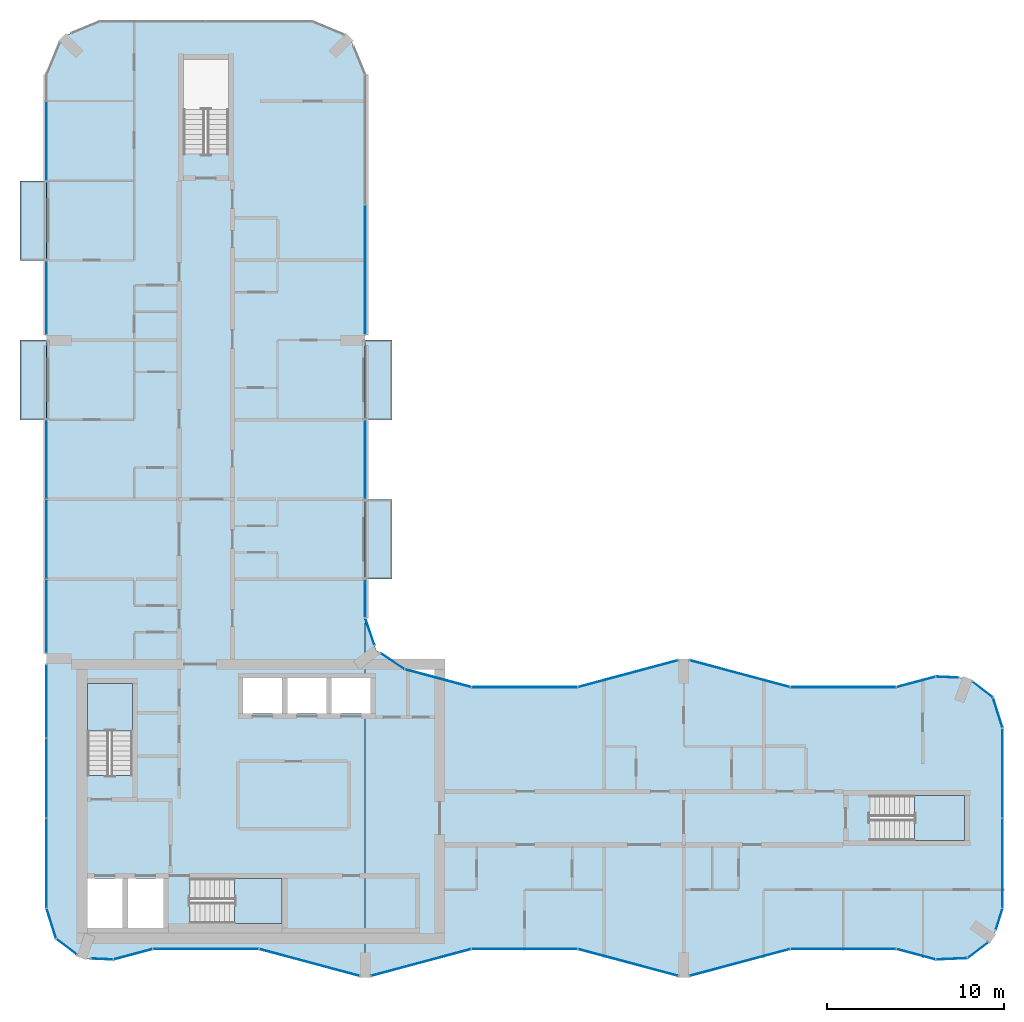
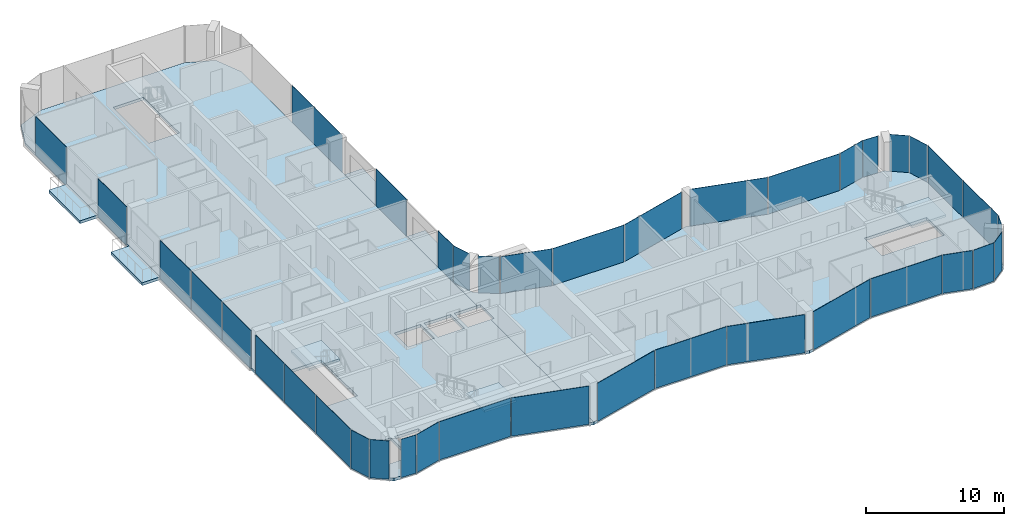
# One storey, part 8 of 15: 39 plates, 9 slabs, 37 elements without a shape of their own.
"""IFC4 building model written with IfcOpenShell, lengths in metres."""

from ifc_helpers import new_model, si_unit, direction, frame, origin, origin_2d, place, context, subcontext, project, spatial, polyline, rectangle, outline, extrude, material, layer, layer_set, type_object, element, aggregate, save


model = new_model("IFC4")

# Units and contexts
model_context = context("Model", 3, precision=1e-05, world=origin(), true_north=direction((0.0, 1.0)))
body_context = subcontext(model_context, "Body", "Model", "MODEL_VIEW")
ifc_project = project(units=[si_unit("LENGTHUNIT", "METRE"), si_unit("AREAUNIT", "SQUARE_METRE"), si_unit("VOLUMEUNIT", "CUBIC_METRE"), si_unit("PLANEANGLEUNIT", "RADIAN"), si_unit("MASSUNIT", "GRAM", prefix="KILO")], contexts=[model_context])

# Site, building, storey
site_placement = place(None, origin())
site = spatial("IfcSite", under=ifc_project, at=site_placement, CompositionType="ELEMENT")
building_placement = place(site_placement, origin())
building = spatial("IfcBuilding", under=site, at=building_placement, Name="Plateau Cross Towers", CompositionType="ELEMENT")
storey_placement = place(building_placement, frame((0.0, 0.0, 149.89990234375)))
storey = spatial("IfcBuildingStorey", under=building, at=storey_placement, Name="L38", CompositionType="ELEMENT", Elevation=149.89990234375)

# Slabs
ifc_material_1 = material(Name="Concrete C40/50", Category="concrete")
ifc_layer_1 = layer(ifc_material_1, 0.25)
ifc_layer_set_1 = layer_set([ifc_layer_1], Name="Concrete C40/50")
slab_type_1 = type_object("IfcSlabType", Name="Balcony slab 250", PredefinedType="FLOOR", material=ifc_layer_set_1)
slab_1_placement = place(storey_placement, frame((0.0, 0.0, -0.25)))
element("IfcSlab", 1, at=slab_1_placement, inside=storey, type_object=slab_type_1, Name="Balcony slab A-BAL-L38-01", PredefinedType="FLOOR", context=body_context, shape_type="SweptSolid", body=[
    extrude(outline(polyline([(0.0, 31.5), (0.0, 36.0), (-1.5, 36.0), (-1.5, 31.5), (0.0, 31.5)])), origin(), (0.0, 0.0, 1.0), 0.25),
])
slab_2_placement = place(storey_placement, frame((0.0, 0.0, -0.25)))
element("IfcSlab", 2, at=slab_2_placement, inside=storey, type_object=slab_type_1, Name="Balcony slab A-BAL-L38-02", PredefinedType="FLOOR", context=body_context, shape_type="SweptSolid", body=[
    extrude(outline(polyline([(0.0, 40.5), (0.0, 45.0), (-1.5, 45.0), (-1.5, 40.5), (0.0, 40.5)])), origin(), (0.0, 0.0, 1.0), 0.25),
])
slab_3_placement = place(storey_placement, frame((0.0, 0.0, -0.25)))
element("IfcSlab", 3, at=slab_3_placement, inside=storey, type_object=slab_type_1, Name="Balcony slab A-BAL-L38-03", PredefinedType="FLOOR", context=body_context, shape_type="SweptSolid", body=[
    extrude(outline(polyline([(19.5, 22.5), (19.5, 27.0), (18.0, 27.0), (18.0, 22.5), (19.5, 22.5)])), origin(), (0.0, 0.0, 1.0), 0.25),
])
slab_4_placement = place(storey_placement, frame((0.0, 0.0, -0.25)))
element("IfcSlab", 4, at=slab_4_placement, inside=storey, type_object=slab_type_1, Name="Balcony slab A-BAL-L38-04", PredefinedType="FLOOR", context=body_context, shape_type="SweptSolid", body=[
    extrude(outline(polyline([(19.5, 31.5), (19.5, 36.0), (18.0, 36.0), (18.0, 31.5), (19.5, 31.5)])), origin(), (0.0, 0.0, 1.0), 0.25),
])

# Curtain wall, plate
ifc_material_2 = material(Name="Dark low-iron glass", Category="glass")
ifc_layer_2 = layer(ifc_material_2, 0.239990234375)
ifc_layer_set_2 = layer_set([ifc_layer_2], Name="Dark low-iron glass")
curtain_wall_type_1 = type_object("IfcCurtainWallType", Name="Curtain wall flush unitised CW-B", PredefinedType="NOTDEFINED", material=ifc_layer_set_2)
curtain_wall_1_placement = place(storey_placement, origin())
curtain_wall_1 = element("IfcCurtainWall", 5, at=curtain_wall_1_placement, inside=storey, type_object=curtain_wall_type_1, Name="ENV/A/L38/A502_10", PredefinedType="NOTDEFINED")
ifc_layer_3 = layer(ifc_material_2, 0.031982421875)
ifc_layer_set_3 = layer_set([ifc_layer_3], Name="Dark low-iron glass")
plate_type_1 = type_object("IfcPlateType", Name="Glass panel 32 flush unitised", PredefinedType="CURTAIN_PANEL", material=ifc_layer_set_3)
plate_1_placement = place(storey_placement, frame((51.125, 1.05078125, -0.1298828125), z_axis=(0.0, 0.0, 1.0), x_axis=(0.999043701491, 0.043722791671, 0.0)))
plate_1 = element("IfcPlate", 6, at=plate_1_placement, type_object=plate_type_1, Name="CW-B panel 1", PredefinedType="CURTAIN_PANEL", context=body_context, shape_type="SweptSolid", body=[
    extrude(rectangle(XDim=1.744140625, YDim=0.031982421875, at=origin_2d()), origin(), (0.0, 0.0, 1.0), 3.3798828125),
])
aggregate(curtain_wall_1, [plate_1])

curtain_wall_2_placement = place(storey_placement, origin())
curtain_wall_2 = element("IfcCurtainWall", 7, at=curtain_wall_2_placement, inside=storey, type_object=curtain_wall_type_1, Name="ENV/A/L38/A520_11", PredefinedType="NOTDEFINED")
plate_2_placement = place(storey_placement, frame((52.60986328125, 1.5380859375, -0.1298828125), z_axis=(0.0, 0.0, 1.0), x_axis=(0.793315514529, 0.608810721331, 0.0)))
plate_2 = element("IfcPlate", 8, at=plate_2_placement, type_object=plate_type_1, Name="CW-B panel 1", PredefinedType="CURTAIN_PANEL", context=body_context, shape_type="SweptSolid", body=[
    extrude(rectangle(XDim=1.41162109375, YDim=0.031982421875, at=origin_2d()), origin(), (0.0, 0.0, 1.0), 3.3798828125),
])
aggregate(curtain_wall_2, [plate_2])

curtain_wall_3_placement = place(storey_placement, origin())
curtain_wall_3 = element("IfcCurtainWall", 9, at=curtain_wall_3_placement, inside=storey, type_object=curtain_wall_type_1, Name="ENV/A/L38/A536_27", PredefinedType="NOTDEFINED")
plate_3_placement = place(storey_placement, frame((53.805419921875, 3.292236328125, -0.1298828125), z_axis=(0.0, 0.0, 1.0), x_axis=(0.300686174994, 0.95372313811, 0.0)))
plate_3 = element("IfcPlate", 10, at=plate_3_placement, type_object=plate_type_1, Name="CW-B panel 1", PredefinedType="CURTAIN_PANEL", context=body_context, shape_type="SweptSolid", body=[
    extrude(rectangle(XDim=1.233642578125, YDim=0.031982421875, at=origin_2d()), origin(), (0.0, 0.0, 1.0), 3.3798828125),
])
aggregate(curtain_wall_3, [plate_3])

# Curtain wall, plates
curtain_wall_4_placement = place(storey_placement, origin())
curtain_wall_4 = element("IfcCurtainWall", 11, at=curtain_wall_4_placement, inside=storey, type_object=curtain_wall_type_1, Name="ENV/A/L38/A540_39", PredefinedType="NOTDEFINED")
plate_4_placement = place(storey_placement, frame((54.0, 6.45458984375, -0.1298828125), z_axis=(0.0, 0.0, 1.0), x_axis=(0.0, 1.0, 0.0)))
plate_4 = element("IfcPlate", 12, at=plate_4_placement, type_object=plate_type_1, Name="CW-B panel 1", PredefinedType="CURTAIN_PANEL", context=body_context, shape_type="SweptSolid", body=[
    extrude(rectangle(XDim=5.03076171875, YDim=0.031982421875, at=origin_2d()), origin(), (0.0, 0.0, 1.0), 3.3798828125),
])
plate_5_placement = place(storey_placement, frame((54.0, 11.54541015625, -0.1298828125), z_axis=(0.0, 0.0, 1.0), x_axis=(0.0, 1.0, 0.0)))
plate_5 = element("IfcPlate", 13, at=plate_5_placement, type_object=plate_type_1, Name="CW-B panel 2", PredefinedType="CURTAIN_PANEL", context=body_context, shape_type="SweptSolid", body=[
    extrude(rectangle(XDim=5.03076171875, YDim=0.031982421875, at=origin_2d()), origin(), (0.0, 0.0, 1.0), 3.3798828125),
])
aggregate(curtain_wall_4, [plate_4, plate_5])

# Curtain wall, plate
curtain_wall_5_placement = place(storey_placement, origin())
curtain_wall_5 = element("IfcCurtainWall", 14, at=curtain_wall_5_placement, inside=storey, type_object=curtain_wall_type_1, Name="ENV/A/L38/A540_141", PredefinedType="NOTDEFINED")
plate_6_placement = place(storey_placement, frame((53.728759765625, 14.951171875, -0.1298828125), z_axis=(0.0, 0.0, 1.0), x_axis=(-0.300686174994, 0.95372313811, 0.0)))
plate_6 = element("IfcPlate", 15, at=plate_6_placement, type_object=plate_type_1, Name="CW-B panel 1", PredefinedType="CURTAIN_PANEL", context=body_context, shape_type="SweptSolid", body=[
    extrude(rectangle(XDim=1.744140625, YDim=0.031982421875, at=origin_2d()), origin(), (0.0, 0.0, 1.0), 3.3798828125),
])
aggregate(curtain_wall_5, [plate_6])

curtain_wall_6_placement = place(storey_placement, origin())
curtain_wall_6 = element("IfcCurtainWall", 16, at=curtain_wall_6_placement, inside=storey, type_object=curtain_wall_type_1, Name="ENV/A/L38/A535_158", PredefinedType="NOTDEFINED")
plate_7_placement = place(storey_placement, frame((52.873779296875, 16.25927734375, -0.1298828125), z_axis=(0.0, 0.0, 1.0), x_axis=(-0.793315514529, 0.608810721331, 0.0)))
plate_7 = element("IfcPlate", 17, at=plate_7_placement, type_object=plate_type_1, Name="CW-B panel 1", PredefinedType="CURTAIN_PANEL", context=body_context, shape_type="SweptSolid", body=[
    extrude(rectangle(XDim=1.41162109375, YDim=0.031982421875, at=origin_2d()), origin(), (0.0, 0.0, 1.0), 3.3798828125),
])
aggregate(curtain_wall_6, [plate_7])

curtain_wall_7_placement = place(storey_placement, origin())
curtain_wall_7 = element("IfcCurtainWall", 18, at=curtain_wall_7_placement, inside=storey, type_object=curtain_wall_type_1, Name="ENV/A/L38/A515_169", PredefinedType="NOTDEFINED")
plate_8_placement = place(storey_placement, frame((50.8701171875, 16.96044921875, -0.1298828125), z_axis=(0.0, 0.0, 1.0), x_axis=(-0.999043701491, 0.043722791671, 0.0)))
plate_8 = element("IfcPlate", 19, at=plate_8_placement, type_object=plate_type_1, Name="CW-B panel 1", PredefinedType="CURTAIN_PANEL", context=body_context, shape_type="SweptSolid", body=[
    extrude(rectangle(XDim=1.233642578125, YDim=0.031982421875, at=origin_2d()), origin(), (0.0, 0.0, 1.0), 3.3798828125),
])
aggregate(curtain_wall_7, [plate_8])

curtain_wall_8_placement = place(storey_placement, origin())
curtain_wall_8 = element("IfcCurtainWall", 20, at=curtain_wall_8_placement, inside=storey, type_object=curtain_wall_type_1, Name="ENV/A/L38/A202_174", PredefinedType="NOTDEFINED")
plate_9_placement = place(storey_placement, frame((19.546630859375, 17.856689453125, -0.1298828125), z_axis=(0.0, 0.0, 1.0), x_axis=(-0.831521253329, 0.555492938984, 0.0)))
plate_9 = element("IfcPlate", 21, at=plate_9_placement, type_object=plate_type_1, Name="CW-B panel 1", PredefinedType="CURTAIN_PANEL", context=body_context, shape_type="SweptSolid", body=[
    extrude(rectangle(XDim=1.56884765625, YDim=0.031982421875, at=origin_2d()), origin(), (0.0, 0.0, 1.0), 3.3798828125),
])
aggregate(curtain_wall_8, [plate_9])

curtain_wall_9_placement = place(storey_placement, origin())
curtain_wall_9 = element("IfcCurtainWall", 22, at=curtain_wall_9_placement, inside=storey, type_object=curtain_wall_type_1, Name="ENV/A/L38/A185_188", PredefinedType="NOTDEFINED")
plate_10_placement = place(storey_placement, frame((18.26171875, 19.531005859375, -0.1298828125), z_axis=(0.0, 0.0, 1.0), x_axis=(-0.321469161574, 0.94692004845, 0.0)))
plate_10 = element("IfcPlate", 23, at=plate_10_placement, type_object=plate_type_1, Name="CW-B panel 1", PredefinedType="CURTAIN_PANEL", context=body_context, shape_type="SweptSolid", body=[
    extrude(rectangle(XDim=1.56884765625, YDim=0.031982421875, at=origin_2d()), origin(), (0.0, 0.0, 1.0), 3.3798828125),
])
aggregate(curtain_wall_9, [plate_10])

curtain_wall_10_placement = place(storey_placement, origin())
curtain_wall_10 = element("IfcCurtainWall", 24, at=curtain_wall_10_placement, inside=storey, type_object=curtain_wall_type_1, Name="ENV/A/L38/A180_203", PredefinedType="NOTDEFINED")
plate_11_placement = place(storey_placement, frame((18.0, 21.396240234375, -0.1298828125), z_axis=(0.0, 0.0, 1.0), x_axis=(0.0, 1.0, 0.0)))
plate_11 = element("IfcPlate", 25, at=plate_11_placement, type_object=plate_type_1, Name="CW-B panel 1", PredefinedType="CURTAIN_PANEL", context=body_context, shape_type="SweptSolid", body=[
    extrude(rectangle(XDim=2.127685546875, YDim=0.031982421875, at=origin_2d()), origin(), (0.0, 0.0, 1.0), 3.3798828125),
])
aggregate(curtain_wall_10, [plate_11])

curtain_wall_11_placement = place(storey_placement, origin())
curtain_wall_11 = element("IfcCurtainWall", 26, at=curtain_wall_11_placement, inside=storey, type_object=curtain_wall_type_1, Name="ENV/A/L38/A180_270", PredefinedType="NOTDEFINED")
plate_12_placement = place(storey_placement, frame((18.0, 29.25, -0.1298828125), z_axis=(0.0, 0.0, 1.0), x_axis=(0.0, 1.0, 0.0)))
plate_12 = element("IfcPlate", 27, at=plate_12_placement, type_object=plate_type_1, Name="CW-B panel 1", PredefinedType="CURTAIN_PANEL", context=body_context, shape_type="SweptSolid", body=[
    extrude(rectangle(XDim=4.419921875, YDim=0.031982421875, at=origin_2d()), origin(), (0.0, 0.0, 1.0), 3.3798828125),
])
aggregate(curtain_wall_11, [plate_12])

curtain_wall_12_placement = place(storey_placement, origin())
curtain_wall_12 = element("IfcCurtainWall", 28, at=curtain_wall_12_placement, inside=storey, type_object=curtain_wall_type_1, Name="ENV/A/L38/A180_363", PredefinedType="NOTDEFINED")
plate_13_placement = place(storey_placement, frame((18.0, 39.97509765625, -0.1298828125), z_axis=(0.0, 0.0, 1.0), x_axis=(0.0, 1.0, 0.0)))
plate_13 = element("IfcPlate", 29, at=plate_13_placement, type_object=plate_type_1, Name="CW-B panel 1", PredefinedType="CURTAIN_PANEL", context=body_context, shape_type="SweptSolid", body=[
    extrude(rectangle(XDim=7.2900390625, YDim=0.031982421875, at=origin_2d()), origin(), (0.0, 0.0, 1.0), 3.3798828125),
])
aggregate(curtain_wall_12, [plate_13])

curtain_wall_13_placement = place(storey_placement, origin())
curtain_wall_13 = element("IfcCurtainWall", 30, at=curtain_wall_13_placement, inside=storey, type_object=curtain_wall_type_1, Name="ENV/A/L38/A0_510", PredefinedType="NOTDEFINED")
plate_14_placement = place(storey_placement, frame((0.0, 47.2548828125, -0.1298828125), z_axis=(0.0, 0.0, 1.0), x_axis=(0.0, -1.0, 0.0)))
plate_14 = element("IfcPlate", 31, at=plate_14_placement, type_object=plate_type_1, Name="CW-B panel 2", PredefinedType="CURTAIN_PANEL", context=body_context, shape_type="SweptSolid", body=[
    extrude(rectangle(XDim=4.429931640625, YDim=0.031982421875, at=origin_2d()), origin(), (0.0, 0.0, 1.0), 3.3798828125),
])
aggregate(curtain_wall_13, [plate_14])

curtain_wall_14_placement = place(storey_placement, origin())
curtain_wall_14 = element("IfcCurtainWall", 32, at=curtain_wall_14_placement, inside=storey, type_object=curtain_wall_type_1, Name="ENV/A/L38/A0_405", PredefinedType="NOTDEFINED")
plate_15_placement = place(storey_placement, frame((0.0, 38.39501953125, -0.1298828125), z_axis=(0.0, 0.0, 1.0), x_axis=(0.0, -1.0, 0.0)))
plate_15 = element("IfcPlate", 33, at=plate_15_placement, type_object=plate_type_1, Name="CW-B panel 1", PredefinedType="CURTAIN_PANEL", context=body_context, shape_type="SweptSolid", body=[
    extrude(rectangle(XDim=4.1298828125, YDim=0.031982421875, at=origin_2d()), origin(), (0.0, 0.0, 1.0), 3.3798828125),
])
aggregate(curtain_wall_14, [plate_15])

# Curtain wall, plates
curtain_wall_15_placement = place(storey_placement, origin())
curtain_wall_15 = element("IfcCurtainWall", 34, at=curtain_wall_15_placement, inside=storey, type_object=curtain_wall_type_1, Name="ENV/A/L38/A0_315", PredefinedType="NOTDEFINED")
plate_16_placement = place(storey_placement, frame((0.0, 29.2451171875, -0.1298828125), z_axis=(0.0, 0.0, 1.0), x_axis=(0.0, -1.0, 0.0)))
plate_16 = element("IfcPlate", 35, at=plate_16_placement, type_object=plate_type_1, Name="CW-B panel 1", PredefinedType="CURTAIN_PANEL", context=body_context, shape_type="SweptSolid", body=[
    extrude(rectangle(XDim=4.429931640625, YDim=0.031982421875, at=origin_2d()), origin(), (0.0, 0.0, 1.0), 3.3798828125),
])
plate_17_placement = place(storey_placement, frame((0.0, 24.75, -0.1298828125), z_axis=(0.0, 0.0, 1.0), x_axis=(0.0, -1.0, 0.0)))
plate_17 = element("IfcPlate", 36, at=plate_17_placement, type_object=plate_type_1, Name="CW-B panel 2", PredefinedType="CURTAIN_PANEL", context=body_context, shape_type="SweptSolid", body=[
    extrude(rectangle(XDim=4.43994140625, YDim=0.031982421875, at=origin_2d()), origin(), (0.0, 0.0, 1.0), 3.3798828125),
])
plate_18_placement = place(storey_placement, frame((0.0, 20.39990234375, -0.1298828125), z_axis=(0.0, 0.0, 1.0), x_axis=(0.0, -1.0, 0.0)))
plate_18 = element("IfcPlate", 37, at=plate_18_placement, type_object=plate_type_1, Name="CW-B panel 3", PredefinedType="CURTAIN_PANEL", context=body_context, shape_type="SweptSolid", body=[
    extrude(rectangle(XDim=4.139892578125, YDim=0.031982421875, at=origin_2d()), origin(), (0.0, 0.0, 1.0), 3.3798828125),
])
aggregate(curtain_wall_15, [plate_16, plate_17, plate_18])

curtain_wall_16_placement = place(storey_placement, origin())
curtain_wall_16 = element("IfcCurtainWall", 38, at=curtain_wall_16_placement, inside=storey, type_object=curtain_wall_type_1, Name="ENV/A/L38/A0_177", PredefinedType="NOTDEFINED")
plate_19_placement = place(storey_placement, frame((0.0, 15.60009765625, -0.1298828125), z_axis=(0.0, 0.0, 1.0), x_axis=(0.0, -1.0, 0.0)))
plate_19 = element("IfcPlate", 39, at=plate_19_placement, type_object=plate_type_1, Name="CW-B panel 1", PredefinedType="CURTAIN_PANEL", context=body_context, shape_type="SweptSolid", body=[
    extrude(rectangle(XDim=4.139892578125, YDim=0.031982421875, at=origin_2d()), origin(), (0.0, 0.0, 1.0), 3.3798828125),
])
plate_20_placement = place(storey_placement, frame((0.0, 11.25, -0.1298828125), z_axis=(0.0, 0.0, 1.0), x_axis=(0.0, -1.0, 0.0)))
plate_20 = element("IfcPlate", 40, at=plate_20_placement, type_object=plate_type_1, Name="CW-B panel 2", PredefinedType="CURTAIN_PANEL", context=body_context, shape_type="SweptSolid", body=[
    extrude(rectangle(XDim=4.43994140625, YDim=0.031982421875, at=origin_2d()), origin(), (0.0, 0.0, 1.0), 3.3798828125),
])
plate_21_placement = place(storey_placement, frame((0.0, 6.45458984375, -0.1298828125), z_axis=(0.0, 0.0, 1.0), x_axis=(0.0, -1.0, 0.0)))
plate_21 = element("IfcPlate", 41, at=plate_21_placement, type_object=plate_type_1, Name="CW-B panel 3", PredefinedType="CURTAIN_PANEL", context=body_context, shape_type="SweptSolid", body=[
    extrude(rectangle(XDim=5.03076171875, YDim=0.031982421875, at=origin_2d()), origin(), (0.0, 0.0, 1.0), 3.3798828125),
])
aggregate(curtain_wall_16, [plate_19, plate_20, plate_21])

# Curtain wall, plate
curtain_wall_17_placement = place(storey_placement, origin())
curtain_wall_17 = element("IfcCurtainWall", 42, at=curtain_wall_17_placement, inside=storey, type_object=curtain_wall_type_1, Name="ENV/A/L38/A0_39", PredefinedType="NOTDEFINED")
plate_22_placement = place(storey_placement, frame((0.271240234375, 3.048828125, -0.1298828125), z_axis=(0.0, 0.0, 1.0), x_axis=(0.300686174994, -0.95372313811, 0.0)))
plate_22 = element("IfcPlate", 43, at=plate_22_placement, type_object=plate_type_1, Name="CW-B panel 1", PredefinedType="CURTAIN_PANEL", context=body_context, shape_type="SweptSolid", body=[
    extrude(rectangle(XDim=1.744140625, YDim=0.031982421875, at=origin_2d()), origin(), (0.0, 0.0, 1.0), 3.3798828125),
])
aggregate(curtain_wall_17, [plate_22])

curtain_wall_18_placement = place(storey_placement, origin())
curtain_wall_18 = element("IfcCurtainWall", 44, at=curtain_wall_18_placement, inside=storey, type_object=curtain_wall_type_1, Name="ENV/A/L38/A5_22", PredefinedType="NOTDEFINED")
plate_23_placement = place(storey_placement, frame((1.126220703125, 1.74072265625, -0.1298828125), z_axis=(0.0, 0.0, 1.0), x_axis=(0.793315514529, -0.608810721331, 0.0)))
plate_23 = element("IfcPlate", 45, at=plate_23_placement, type_object=plate_type_1, Name="CW-B panel 1", PredefinedType="CURTAIN_PANEL", context=body_context, shape_type="SweptSolid", body=[
    extrude(rectangle(XDim=1.41162109375, YDim=0.031982421875, at=origin_2d()), origin(), (0.0, 0.0, 1.0), 3.3798828125),
])
aggregate(curtain_wall_18, [plate_23])

curtain_wall_19_placement = place(storey_placement, origin())
curtain_wall_19 = element("IfcCurtainWall", 46, at=curtain_wall_19_placement, inside=storey, type_object=curtain_wall_type_1, Name="ENV/A/L38/A25_11", PredefinedType="NOTDEFINED")
plate_24_placement = place(storey_placement, frame((3.1298828125, 1.03955078125, -0.1298828125), z_axis=(0.0, 0.0, 1.0), x_axis=(0.999043701491, -0.043722791671, 0.0)))
plate_24 = element("IfcPlate", 47, at=plate_24_placement, type_object=plate_type_1, Name="CW-B panel 1", PredefinedType="CURTAIN_PANEL", context=body_context, shape_type="SweptSolid", body=[
    extrude(rectangle(XDim=1.233642578125, YDim=0.031982421875, at=origin_2d()), origin(), (0.0, 0.0, 1.0), 3.3798828125),
])
aggregate(curtain_wall_19, [plate_24])

ifc_layer_4 = layer(ifc_material_2, 0.260009765625)
ifc_layer_set_4 = layer_set([ifc_layer_4], Name="Dark low-iron glass")
curtain_wall_type_2 = type_object("IfcCurtainWallType", Name="Curtain wall fluted unitised CW-A", PredefinedType="NOTDEFINED", material=ifc_layer_set_4)
curtain_wall_20_placement = place(storey_placement, origin())
curtain_wall_20 = element("IfcCurtainWall", 48, at=curtain_wall_20_placement, inside=storey, type_object=curtain_wall_type_2, Name="ENV/A/L38/A38_10", PredefinedType="NOTDEFINED")
ifc_layer_5 = layer(ifc_material_2, 0.035888671875)
ifc_layer_set_5 = layer_set([ifc_layer_5], Name="Dark low-iron glass")
plate_type_2 = type_object("IfcPlateType", Name="Glass panel 36 fluted unitised", PredefinedType="CURTAIN_PANEL", material=ifc_layer_set_5)
plate_25_placement = place(storey_placement, frame((4.887939453125, 1.30908203125, -0.1298828125), z_axis=(0.0, 0.0, 1.0), x_axis=(0.965957962328, 0.258699081978, 0.0)))
plate_25 = element("IfcPlate", 49, at=plate_25_placement, type_object=plate_type_2, Name="CW-A panel 1", PredefinedType="CURTAIN_PANEL", context=body_context, shape_type="SweptSolid", body=[
    extrude(rectangle(XDim=2.2421875, YDim=0.035888671875, at=origin_2d()), origin(), (0.0, 0.0, 1.0), 3.3798828125),
])
aggregate(curtain_wall_20, [plate_25])

curtain_wall_21_placement = place(storey_placement, origin())
curtain_wall_21 = element("IfcCurtainWall", 50, at=curtain_wall_21_placement, inside=storey, type_object=curtain_wall_type_2, Name="ENV/A/L38/A60_16", PredefinedType="NOTDEFINED")
plate_26_placement = place(storey_placement, frame((9.0, 1.60693359375, -0.1298828125), z_axis=(0.0, 0.0, 1.0), x_axis=(1.0, 0.0, 0.0)))
plate_26 = element("IfcPlate", 51, at=plate_26_placement, type_object=plate_type_2, Name="CW-A panel 1", PredefinedType="CURTAIN_PANEL", context=body_context, shape_type="SweptSolid", body=[
    extrude(rectangle(XDim=5.93994140625, YDim=0.035888671875, at=origin_2d()), origin(), (0.0, 0.0, 1.0), 3.3798828125),
])
aggregate(curtain_wall_21, [plate_26])

curtain_wall_22_placement = place(storey_placement, origin())
curtain_wall_22 = element("IfcCurtainWall", 52, at=curtain_wall_22_placement, inside=storey, type_object=curtain_wall_type_2, Name="ENV/A/L38/A120_16", PredefinedType="NOTDEFINED")
plate_27_placement = place(storey_placement, frame((14.841064453125, 0.845947265625, -0.1298828125), z_axis=(0.0, 0.0, 1.0), x_axis=(0.965957983404, -0.258699003279, 0.0)))
plate_27 = element("IfcPlate", 53, at=plate_27_placement, type_object=plate_type_2, Name="CW-A panel 1", PredefinedType="CURTAIN_PANEL", context=body_context, shape_type="SweptSolid", body=[
    extrude(rectangle(XDim=5.822265625, YDim=0.035888671875, at=origin_2d()), origin(), (0.0, 0.0, 1.0), 3.3798828125),
])
aggregate(curtain_wall_22, [plate_27])

curtain_wall_23_placement = place(storey_placement, origin())
curtain_wall_23 = element("IfcCurtainWall", 54, at=curtain_wall_23_placement, inside=storey, type_object=curtain_wall_type_2, Name="ENV/A/L38/A183_1", PredefinedType="NOTDEFINED")
plate_28_placement = place(storey_placement, frame((21.158935546875, 0.845947265625, -0.1298828125), z_axis=(0.0, 0.0, 1.0), x_axis=(0.965957983404, 0.258699003279, 0.0)))
plate_28 = element("IfcPlate", 55, at=plate_28_placement, type_object=plate_type_2, Name="CW-A panel 1", PredefinedType="CURTAIN_PANEL", context=body_context, shape_type="SweptSolid", body=[
    extrude(rectangle(XDim=5.822265625, YDim=0.035888671875, at=origin_2d()), origin(), (0.0, 0.0, 1.0), 3.3798828125),
])
aggregate(curtain_wall_23, [plate_28])

curtain_wall_24_placement = place(storey_placement, origin())
curtain_wall_24 = element("IfcCurtainWall", 56, at=curtain_wall_24_placement, inside=storey, type_object=curtain_wall_type_2, Name="ENV/A/L38/A240_16", PredefinedType="NOTDEFINED")
plate_29_placement = place(storey_placement, frame((27.0, 1.60693359375, -0.1298828125), z_axis=(0.0, 0.0, 1.0), x_axis=(1.0, 0.0, 0.0)))
plate_29 = element("IfcPlate", 57, at=plate_29_placement, type_object=plate_type_2, Name="CW-A panel 1", PredefinedType="CURTAIN_PANEL", context=body_context, shape_type="SweptSolid", body=[
    extrude(rectangle(XDim=5.93994140625, YDim=0.035888671875, at=origin_2d()), origin(), (0.0, 0.0, 1.0), 3.3798828125),
])
aggregate(curtain_wall_24, [plate_29])

curtain_wall_25_placement = place(storey_placement, origin())
curtain_wall_25 = element("IfcCurtainWall", 58, at=curtain_wall_25_placement, inside=storey, type_object=curtain_wall_type_2, Name="ENV/A/L38/A300_16", PredefinedType="NOTDEFINED")
plate_30_placement = place(storey_placement, frame((32.841064453125, 0.845947265625, -0.1298828125), z_axis=(0.0, 0.0, 1.0), x_axis=(0.965957983404, -0.258699003279, 0.0)))
plate_30 = element("IfcPlate", 59, at=plate_30_placement, type_object=plate_type_2, Name="CW-A panel 1", PredefinedType="CURTAIN_PANEL", context=body_context, shape_type="SweptSolid", body=[
    extrude(rectangle(XDim=5.822265625, YDim=0.035888671875, at=origin_2d()), origin(), (0.0, 0.0, 1.0), 3.3798828125),
])
aggregate(curtain_wall_25, [plate_30])

curtain_wall_26_placement = place(storey_placement, origin())
curtain_wall_26 = element("IfcCurtainWall", 60, at=curtain_wall_26_placement, inside=storey, type_object=curtain_wall_type_2, Name="ENV/A/L38/A363_1", PredefinedType="NOTDEFINED")
plate_31_placement = place(storey_placement, frame((39.158935546875, 0.845947265625, -0.1298828125), z_axis=(0.0, 0.0, 1.0), x_axis=(0.965957983404, 0.258699003279, 0.0)))
plate_31 = element("IfcPlate", 61, at=plate_31_placement, type_object=plate_type_2, Name="CW-A panel 1", PredefinedType="CURTAIN_PANEL", context=body_context, shape_type="SweptSolid", body=[
    extrude(rectangle(XDim=5.822265625, YDim=0.035888671875, at=origin_2d()), origin(), (0.0, 0.0, 1.0), 3.3798828125),
])
aggregate(curtain_wall_26, [plate_31])

curtain_wall_27_placement = place(storey_placement, origin())
curtain_wall_27 = element("IfcCurtainWall", 62, at=curtain_wall_27_placement, inside=storey, type_object=curtain_wall_type_2, Name="ENV/A/L38/A420_16", PredefinedType="NOTDEFINED")
plate_32_placement = place(storey_placement, frame((45.0, 1.60693359375, -0.1298828125), z_axis=(0.0, 0.0, 1.0), x_axis=(1.0, 0.0, 0.0)))
plate_32 = element("IfcPlate", 63, at=plate_32_placement, type_object=plate_type_2, Name="CW-A panel 1", PredefinedType="CURTAIN_PANEL", context=body_context, shape_type="SweptSolid", body=[
    extrude(rectangle(XDim=5.93994140625, YDim=0.035888671875, at=origin_2d()), origin(), (0.0, 0.0, 1.0), 3.3798828125),
])
aggregate(curtain_wall_27, [plate_32])

curtain_wall_28_placement = place(storey_placement, origin())
curtain_wall_28 = element("IfcCurtainWall", 64, at=curtain_wall_28_placement, inside=storey, type_object=curtain_wall_type_2, Name="ENV/A/L38/A480_16", PredefinedType="NOTDEFINED")
plate_33_placement = place(storey_placement, frame((49.112060546875, 1.30908203125, -0.1298828125), z_axis=(0.0, 0.0, 1.0), x_axis=(0.965957962328, -0.258699081978, 0.0)))
plate_33 = element("IfcPlate", 65, at=plate_33_placement, type_object=plate_type_2, Name="CW-A panel 1", PredefinedType="CURTAIN_PANEL", context=body_context, shape_type="SweptSolid", body=[
    extrude(rectangle(XDim=2.2421875, YDim=0.035888671875, at=origin_2d()), origin(), (0.0, 0.0, 1.0), 3.3798828125),
])
aggregate(curtain_wall_28, [plate_33])

curtain_wall_29_placement = place(storey_placement, origin())
curtain_wall_29 = element("IfcCurtainWall", 66, at=curtain_wall_29_placement, inside=storey, type_object=curtain_wall_type_2, Name="ENV/A/L38/A502_170", PredefinedType="NOTDEFINED")
plate_34_placement = place(storey_placement, frame((49.112060546875, 16.69091796875, -0.1298828125), z_axis=(0.0, 0.0, 1.0), x_axis=(-0.965957962328, -0.258699081978, 0.0)))
plate_34 = element("IfcPlate", 67, at=plate_34_placement, type_object=plate_type_2, Name="CW-A panel 1", PredefinedType="CURTAIN_PANEL", context=body_context, shape_type="SweptSolid", body=[
    extrude(rectangle(XDim=2.2421875, YDim=0.035888671875, at=origin_2d()), origin(), (0.0, 0.0, 1.0), 3.3798828125),
])
aggregate(curtain_wall_29, [plate_34])

curtain_wall_30_placement = place(storey_placement, origin())
curtain_wall_30 = element("IfcCurtainWall", 68, at=curtain_wall_30_placement, inside=storey, type_object=curtain_wall_type_2, Name="ENV/A/L38/A480_164", PredefinedType="NOTDEFINED")
plate_35_placement = place(storey_placement, frame((45.0, 16.39306640625, -0.1298828125), z_axis=(0.0, 0.0, 1.0), x_axis=(-1.0, 0.0, 0.0)))
plate_35 = element("IfcPlate", 69, at=plate_35_placement, type_object=plate_type_2, Name="CW-A panel 1", PredefinedType="CURTAIN_PANEL", context=body_context, shape_type="SweptSolid", body=[
    extrude(rectangle(XDim=5.93994140625, YDim=0.035888671875, at=origin_2d()), origin(), (0.0, 0.0, 1.0), 3.3798828125),
])
aggregate(curtain_wall_30, [plate_35])

curtain_wall_31_placement = place(storey_placement, origin())
curtain_wall_31 = element("IfcCurtainWall", 70, at=curtain_wall_31_placement, inside=storey, type_object=curtain_wall_type_2, Name="ENV/A/L38/A420_164", PredefinedType="NOTDEFINED")
plate_36_placement = place(storey_placement, frame((39.158935546875, 17.154052734375, -0.1298828125), z_axis=(0.0, 0.0, 1.0), x_axis=(-0.965957983404, 0.258699003279, 0.0)))
plate_36 = element("IfcPlate", 71, at=plate_36_placement, type_object=plate_type_2, Name="CW-A panel 1", PredefinedType="CURTAIN_PANEL", context=body_context, shape_type="SweptSolid", body=[
    extrude(rectangle(XDim=5.822265625, YDim=0.035888671875, at=origin_2d()), origin(), (0.0, 0.0, 1.0), 3.3798828125),
])
aggregate(curtain_wall_31, [plate_36])

curtain_wall_32_placement = place(storey_placement, origin())
curtain_wall_32 = element("IfcCurtainWall", 72, at=curtain_wall_32_placement, inside=storey, type_object=curtain_wall_type_2, Name="ENV/A/L38/A357_179", PredefinedType="NOTDEFINED")
plate_37_placement = place(storey_placement, frame((32.841064453125, 17.154052734375, -0.1298828125), z_axis=(0.0, 0.0, 1.0), x_axis=(-0.965957983404, -0.258699003279, 0.0)))
plate_37 = element("IfcPlate", 73, at=plate_37_placement, type_object=plate_type_2, Name="CW-A panel 1", PredefinedType="CURTAIN_PANEL", context=body_context, shape_type="SweptSolid", body=[
    extrude(rectangle(XDim=5.822265625, YDim=0.035888671875, at=origin_2d()), origin(), (0.0, 0.0, 1.0), 3.3798828125),
])
aggregate(curtain_wall_32, [plate_37])

curtain_wall_33_placement = place(storey_placement, origin())
curtain_wall_33 = element("IfcCurtainWall", 74, at=curtain_wall_33_placement, inside=storey, type_object=curtain_wall_type_2, Name="ENV/A/L38/A300_164", PredefinedType="NOTDEFINED")
plate_38_placement = place(storey_placement, frame((27.0, 16.39306640625, -0.1298828125), z_axis=(0.0, 0.0, 1.0), x_axis=(-1.0, 0.0, 0.0)))
plate_38 = element("IfcPlate", 75, at=plate_38_placement, type_object=plate_type_2, Name="CW-A panel 1", PredefinedType="CURTAIN_PANEL", context=body_context, shape_type="SweptSolid", body=[
    extrude(rectangle(XDim=5.93994140625, YDim=0.035888671875, at=origin_2d()), origin(), (0.0, 0.0, 1.0), 3.3798828125),
])
aggregate(curtain_wall_33, [plate_38])

curtain_wall_34_placement = place(storey_placement, origin())
curtain_wall_34 = element("IfcCurtainWall", 76, at=curtain_wall_34_placement, inside=storey, type_object=curtain_wall_type_2, Name="ENV/A/L38/A240_164", PredefinedType="NOTDEFINED")
plate_39_placement = place(storey_placement, frame((22.112060546875, 16.898681640625, -0.1298828125), z_axis=(0.0, 0.0, 1.0), x_axis=(-0.965957995816, 0.258698956933, 0.0)))
plate_39 = element("IfcPlate", 77, at=plate_39_placement, type_object=plate_type_2, Name="CW-A panel 1", PredefinedType="CURTAIN_PANEL", context=body_context, shape_type="SweptSolid", body=[
    extrude(rectangle(XDim=3.84912109375, YDim=0.035888671875, at=origin_2d()), origin(), (0.0, 0.0, 1.0), 3.3798828125),
])
aggregate(curtain_wall_34, [plate_39])

# Slabs
ifc_layer_6 = layer(ifc_material_1, 0.25)
ifc_layer_set_6 = layer_set([ifc_layer_6], Name="Concrete C40/50")
slab_type_2 = type_object("IfcSlabType", Name="Post-tensioned flat plate slab 250", PredefinedType="FLOOR", material=ifc_layer_set_6)
slab_5_placement = place(storey_placement, frame((0.0, 0.0, -0.25)))
element("IfcSlab", 78, at=slab_5_placement, inside=storey, type_object=slab_type_2, Name="SL-A-L38 1", PredefinedType="FLOOR", context=body_context, shape_type="SweptSolid", body=[
    extrude(outline(polyline([(0.54248046875, 2.1884765625), (0.0, 3.9091796875), (0.0, 51.0), (0.878662109375, 53.121337890625), (3.0, 54.0), (15.0, 54.0), (17.121337890625, 53.121337890625), (18.0, 51.0), (18.0, 20.30224609375), (18.0, 16.89990234375), (16.10009765625, 16.89990234375), (16.10009765625, 14.89990234375), (18.0, 14.89990234375), (18.0, 0.0), (12.0, 1.60693359375), (6.0, 1.60693359375), (3.776123046875, 1.01123046875), (1.9736328125, 1.090087890625), (0.54248046875, 2.1884765625)]), holes=[polyline([(2.300048828125, 5.60009765625), (2.300048828125, 2.800048828125), (4.300048828125, 2.800048828125), (4.300048828125, 5.60009765625), (2.300048828125, 5.60009765625)]), polyline([(4.60009765625, 5.60009765625), (4.60009765625, 2.800048828125), (6.60009765625, 2.800048828125), (6.60009765625, 5.60009765625), (4.60009765625, 5.60009765625)]), polyline([(8.10009765625, 5.60009765625), (8.10009765625, 3.050048828125), (13.300048828125, 3.050048828125), (13.300048828125, 5.60009765625), (8.10009765625, 5.60009765625)]), polyline([(2.300048828125, 11.39990234375), (4.85009765625, 11.39990234375), (4.85009765625, 16.60009765625), (2.300048828125, 16.60009765625), (2.300048828125, 11.39990234375)]), polyline([(11.10009765625, 16.89990234375), (11.10009765625, 14.89990234375), (13.300048828125, 14.89990234375), (13.300048828125, 16.89990234375), (11.10009765625, 16.89990234375)]), polyline([(13.60009765625, 16.89990234375), (13.60009765625, 14.89990234375), (15.800048828125, 14.89990234375), (15.800048828125, 16.89990234375), (13.60009765625, 16.89990234375)]), polyline([(7.72509765625, 51.699951171875), (7.72509765625, 46.5), (10.27490234375, 46.5), (10.27490234375, 51.699951171875), (7.72509765625, 51.699951171875)])]), origin(), (0.0, 0.0, 1.0), 0.25),
])
slab_6_placement = place(storey_placement, frame((0.0, 0.0, -0.25)))
element("IfcSlab", 79, at=slab_6_placement, inside=storey, type_object=slab_type_2, Name="SL-A-L38 2", PredefinedType="FLOOR", context=body_context, shape_type="SweptSolid", body=[
    extrude(outline(polyline([(18.6201171875, 18.475830078125), (20.223876953125, 17.404296875), (24.0, 16.39306640625), (30.0, 16.39306640625), (36.0, 18.0), (42.0, 16.39306640625), (48.0, 16.39306640625), (50.223876953125, 16.98876953125), (52.0263671875, 16.909912109375), (53.45751953125, 15.8115234375), (54.0, 14.0908203125), (54.0, 3.9091796875), (53.45751953125, 2.1884765625), (52.0263671875, 1.090087890625), (50.223876953125, 1.01123046875), (48.0, 1.60693359375), (42.0, 1.60693359375), (36.0, 0.0), (30.0, 1.60693359375), (24.0, 1.60693359375), (18.0, 0.0), (18.0, 14.89990234375), (18.300048828125, 14.89990234375), (18.300048828125, 16.89990234375), (18.0, 16.89990234375), (18.0, 20.30224609375), (18.6201171875, 18.475830078125)]), holes=[polyline([(46.5, 10.27490234375), (46.5, 7.72509765625), (51.699951171875, 7.72509765625), (51.699951171875, 10.27490234375), (46.5, 10.27490234375)])]), origin(), (0.0, 0.0, 1.0), 0.25),
])

# Stair, slab
stair_type = type_object("IfcStairType", Name="ST-TWR", PredefinedType="HALF_TURN_STAIR", material=ifc_material_1)
stair_1_placement = place(storey_placement, origin())
stair_1 = element("IfcStair", 80, at=stair_1_placement, inside=storey, type_object=stair_type, Name="L38 Protected Exit Stair ST-1", PredefinedType="HALF_TURN_STAIR")
ifc_layer_7 = layer(ifc_material_1, 0.199951171875)
ifc_layer_set_7 = layer_set([ifc_layer_7], Name="Concrete C40/50")
slab_type_3 = type_object("IfcSlabType", Name="SL-LANDING", PredefinedType="LANDING", material=ifc_layer_set_7)
slab_7_placement = place(storey_placement, frame((0.0, 0.0, 1.550048828125)))
slab_7 = element("IfcSlab", 81, at=slab_7_placement, type_object=slab_type_3, Name="ST-1 landing 1", PredefinedType="LANDING", context=body_context, shape_type="SweptSolid", body=[
    extrude(outline(polyline([(4.85009765625, 13.919921875), (4.85009765625, 16.60009765625), (2.300048828125, 16.60009765625), (2.300048828125, 13.919921875), (4.85009765625, 13.919921875)])), origin(), (0.0, 0.0, 1.0), 0.199951171875),
])
aggregate(stair_1, [slab_7])

stair_2_placement = place(storey_placement, origin())
stair_2 = element("IfcStair", 82, at=stair_2_placement, inside=storey, type_object=stair_type, Name="L38 Protected Exit Stair ST-2", PredefinedType="HALF_TURN_STAIR")
slab_8_placement = place(storey_placement, frame((0.0, 0.0, 1.550048828125)))
slab_8 = element("IfcSlab", 83, at=slab_8_placement, type_object=slab_type_3, Name="ST-2 landing 1", PredefinedType="LANDING", context=body_context, shape_type="SweptSolid", body=[
    extrude(outline(polyline([(10.6201171875, 3.050048828125), (13.300048828125, 3.050048828125), (13.300048828125, 5.60009765625), (10.6201171875, 5.60009765625), (10.6201171875, 3.050048828125)])), origin(), (0.0, 0.0, 1.0), 0.199951171875),
])
aggregate(stair_2, [slab_8])

stair_3_placement = place(storey_placement, origin())
stair_3 = element("IfcStair", 84, at=stair_3_placement, inside=storey, type_object=stair_type, Name="L38 Protected Exit Stair E", PredefinedType="HALF_TURN_STAIR")
slab_9_placement = place(storey_placement, frame((0.0, 0.0, 1.550048828125)))
slab_9 = element("IfcSlab", 85, at=slab_9_placement, type_object=slab_type_3, Name="ES-E landing 1", PredefinedType="LANDING", context=body_context, shape_type="SweptSolid", body=[
    extrude(outline(polyline([(49.02001953125, 7.72509765625), (51.85009765625, 7.72509765625), (51.85009765625, 10.27490234375), (49.02001953125, 10.27490234375), (49.02001953125, 7.72509765625)])), origin(), (0.0, 0.0, 1.0), 0.199951171875),
])
aggregate(stair_3, [slab_9])

save(model, "model.ifc")
